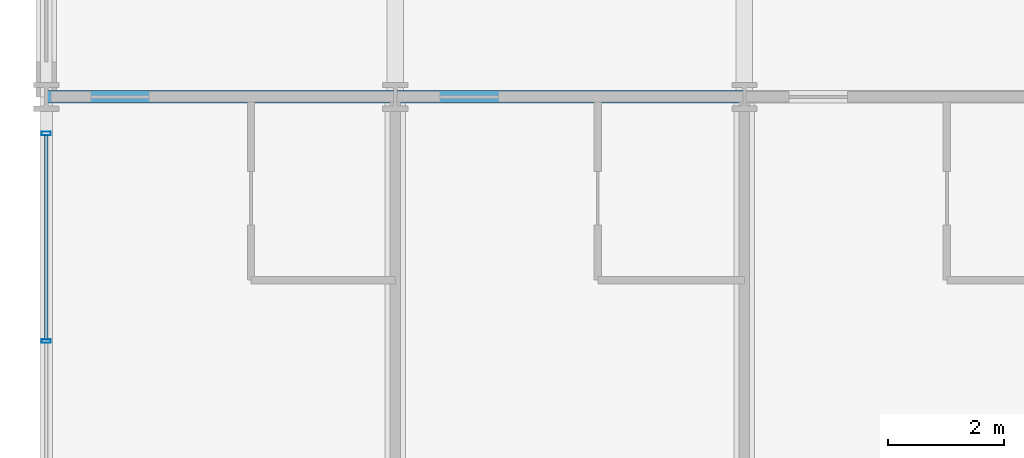
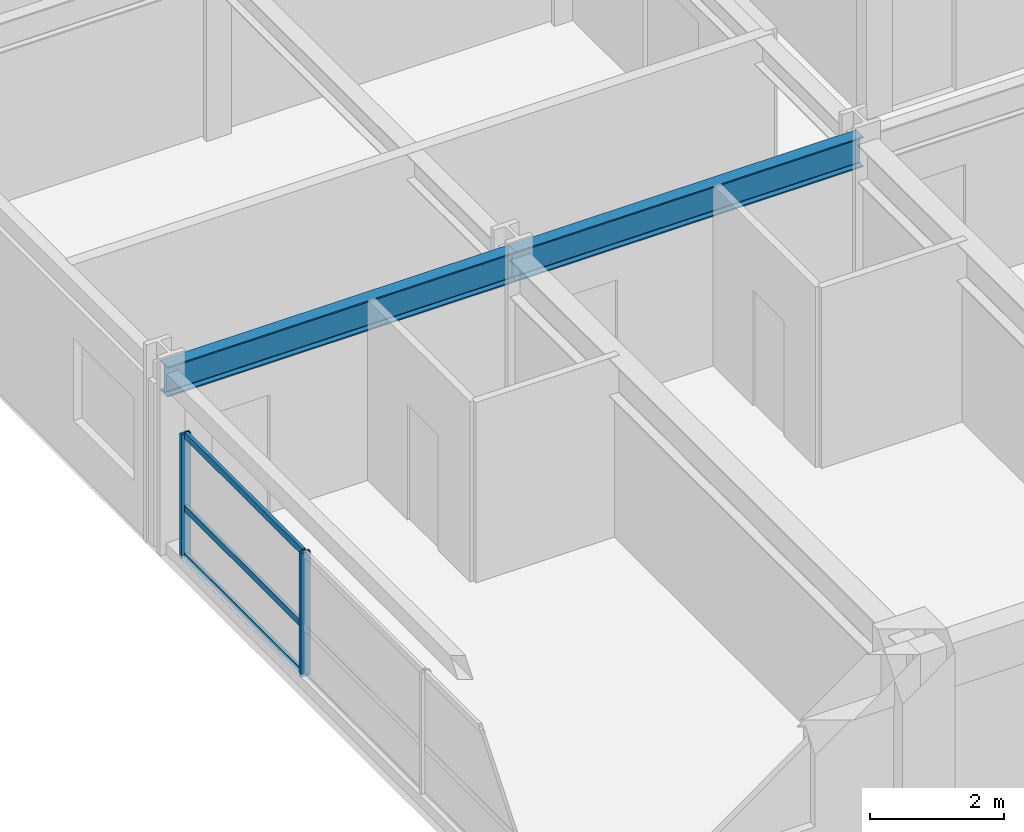
# One storey, part 4 of 22: 5 members, 2 beams, 1 element without a shape of its own.
"""IFC4 building model written with IfcOpenShell, lengths in metres."""

from ifc_helpers import new_model, si_unit, direction, frame, origin, origin_2d, place, context, subcontext, project, spatial, hollow_rectangle, i_section, extrude, material, material_profile, profile_set, type_object, element, aggregate, save


model = new_model("IFC4")

# Units and contexts
model_context = context("Model", 3, precision=1e-05, world=origin(), true_north=direction((0.0, 1.0)))
body_context = subcontext(model_context, "Body", "Model", "MODEL_VIEW")
ifc_project = project(units=[si_unit("LENGTHUNIT", "METRE"), si_unit("AREAUNIT", "SQUARE_METRE"), si_unit("VOLUMEUNIT", "CUBIC_METRE"), si_unit("PLANEANGLEUNIT", "RADIAN"), si_unit("MASSUNIT", "GRAM", prefix="KILO")], contexts=[model_context])

# Site, building, storey
site_placement = place(None, origin())
site = spatial("IfcSite", under=ifc_project, at=site_placement, CompositionType="ELEMENT")
building_placement = place(site_placement, origin())
building = spatial("IfcBuilding", under=site, at=building_placement, Name="Kaldorvane Square Convention Centre", CompositionType="ELEMENT")
storey_placement = place(building_placement, frame((0.0, 0.0, 34.80000305175781)))
storey = spatial("IfcBuildingStorey", under=building, at=storey_placement, Name="L07", CompositionType="ELEMENT", Elevation=34.80000305175781)

# Beams
ifc_material_1 = material(Name="Steel ASTM A992 Gr. 50", Category="steel")
ifc_material_profile_1 = material_profile(ifc_material_1, i_section(OverallWidth=0.213897705078125, OverallDepth=0.549102783203125, WebThickness=0.0146942138671875, FlangeThickness=0.0236053466796875, FilletRadius=0.0126953125, at=origin_2d()), Name="W21X93")
ifc_profile_set_1 = profile_set([ifc_material_profile_1], Name="Steel ASTM A992 Gr. 50")
beam_type = type_object("IfcBeamType", Name="BM-GR-W21X93", PredefinedType="BEAM", material=ifc_profile_set_1)
for number, where, z_axis, x_axis, name in (
    (1, (24.0, 96.0, 3.0114898681640625), (1.0, 0.0, 0.0), (0.0, 1.0, 0.0), "Primary Girder (L07)"),
    (2, (30.0, 96.0, 3.0114898681640625), (1.0, 0.0, 0.0), (0.0, 1.0, 0.0), "Primary Girder (L07)"),
):
    element("IfcBeam", number, at=place(storey_placement, frame(where, z_axis=z_axis, x_axis=x_axis)), inside=storey, type_object=beam_type, Name=name, PredefinedType="BEAM", context=body_context, shape_type="SweptSolid", body=[
        extrude(i_section(OverallWidth=0.213897705078125, OverallDepth=0.549102783203125, WebThickness=0.0146942138671875, FlangeThickness=0.0236053466796875, FilletRadius=0.0126953125, at=origin_2d()), origin(), (0.0, 0.0, 1.0), 6.0),
    ])

# Curtain wall, members
ifc_material_2 = material(Name="Anodized Aluminum and Low-E Insulated Glazing", Category="aluminium")
curtain_wall_type = type_object("IfcCurtainWallType", Name="CW-UNI-HTL-B", PredefinedType="USERDEFINED", material=ifc_material_2)
curtain_wall_placement = place(storey_placement, origin())
curtain_wall = element("IfcCurtainWall", 3, at=curtain_wall_placement, inside=storey, type_object=curtain_wall_type, Name="Curtain Wall CW-11 (L07)", ObjectType="UNITISED GLAZING", PredefinedType="USERDEFINED")
ifc_material_profile_2 = material_profile(ifc_material_2, hollow_rectangle(XDim=0.05999755859375, YDim=0.160003662109375, WallThickness=0.003204345703125, at=origin_2d()), Name="CWM-160X60")
ifc_profile_set_2 = profile_set([ifc_material_profile_2], Name="Anodized Aluminum and Low-E Insulated Glazing")
member_type_1 = type_object("IfcMemberType", Name="CW-MUL-160", PredefinedType="MULLION", material=ifc_profile_set_2)
member_1_placement = place(storey_placement, frame((24.0, 95.3699951171875, 0.149993896484375), z_axis=(0.0, 0.0, 1.0), x_axis=(0.0, -1.0, 0.0)))
member_1 = element("IfcMember", 4, at=member_1_placement, type_object=member_type_1, Name="CW-11 mullion 1", PredefinedType="MULLION", context=body_context, shape_type="SweptSolid", body=[
    extrude(hollow_rectangle(XDim=0.05999755859375, YDim=0.160003662109375, WallThickness=0.003204345703125, at=origin_2d()), origin(), (0.0, 0.0, 1.0), 2.260009765625),
])
member_2_placement = place(storey_placement, frame((24.0, 91.80000305175781, 0.149993896484375), z_axis=(0.0, 0.0, 1.0), x_axis=(0.0, -1.0, 0.0)))
member_2 = element("IfcMember", 5, at=member_2_placement, type_object=member_type_1, Name="CW-11 mullion 2", PredefinedType="MULLION", context=body_context, shape_type="SweptSolid", body=[
    extrude(hollow_rectangle(XDim=0.05999755859375, YDim=0.160003662109375, WallThickness=0.003204345703125, at=origin_2d()), origin(), (0.0, 0.0, 1.0), 2.260009765625),
])
ifc_material_profile_3 = material_profile(ifc_material_2, hollow_rectangle(XDim=0.05499267578125, YDim=0.1199951171875, WallThickness=0.0030059814453125, at=origin_2d()), Name="CWT-120X55")
ifc_profile_set_3 = profile_set([ifc_material_profile_3], Name="Anodized Aluminum and Low-E Insulated Glazing")
member_type_2 = type_object("IfcMemberType", Name="CW-TRN-120", PredefinedType="USERDEFINED", material=ifc_profile_set_3)
member_3_placement = place(storey_placement, frame((24.0, 95.33999633789062, 0.177490234375), z_axis=(0.0, -1.0, 0.0), x_axis=(1.0, 0.0, 0.0)))
member_3 = element("IfcMember", 6, at=member_3_placement, type_object=member_type_2, Name="CW-11 transom 1.1", ObjectType="TRANSOM", PredefinedType="USERDEFINED", context=body_context, shape_type="SweptSolid", body=[
    extrude(hollow_rectangle(XDim=0.05499267578125, YDim=0.1199951171875, WallThickness=0.0030059814453125, at=origin_2d()), origin(), (0.0, 0.0, 1.0), 3.5099945068359375),
])
member_4_placement = place(storey_placement, frame((24.0, 95.33999633789062, 1.0500030517578125), z_axis=(0.0, -1.0, 0.0), x_axis=(1.0, 0.0, 0.0)))
member_4 = element("IfcMember", 7, at=member_4_placement, type_object=member_type_2, Name="CW-11 transom 1.2", ObjectType="TRANSOM", PredefinedType="USERDEFINED", context=body_context, shape_type="SweptSolid", body=[
    extrude(hollow_rectangle(XDim=0.05499267578125, YDim=0.1199951171875, WallThickness=0.0030059814453125, at=origin_2d()), origin(), (0.0, 0.0, 1.0), 3.5099945068359375),
])
member_5_placement = place(storey_placement, frame((24.0, 95.33999633789062, 2.3824920654296875), z_axis=(0.0, -1.0, 0.0), x_axis=(1.0, 0.0, 0.0)))
member_5 = element("IfcMember", 8, at=member_5_placement, type_object=member_type_2, Name="CW-11 transom 1.3", ObjectType="TRANSOM", PredefinedType="USERDEFINED", context=body_context, shape_type="SweptSolid", body=[
    extrude(hollow_rectangle(XDim=0.05499267578125, YDim=0.1199951171875, WallThickness=0.0030059814453125, at=origin_2d()), origin(), (0.0, 0.0, 1.0), 3.5099945068359375),
])
aggregate(curtain_wall, [member_1, member_2, member_3, member_4, member_5])

save(model, "model.ifc")
